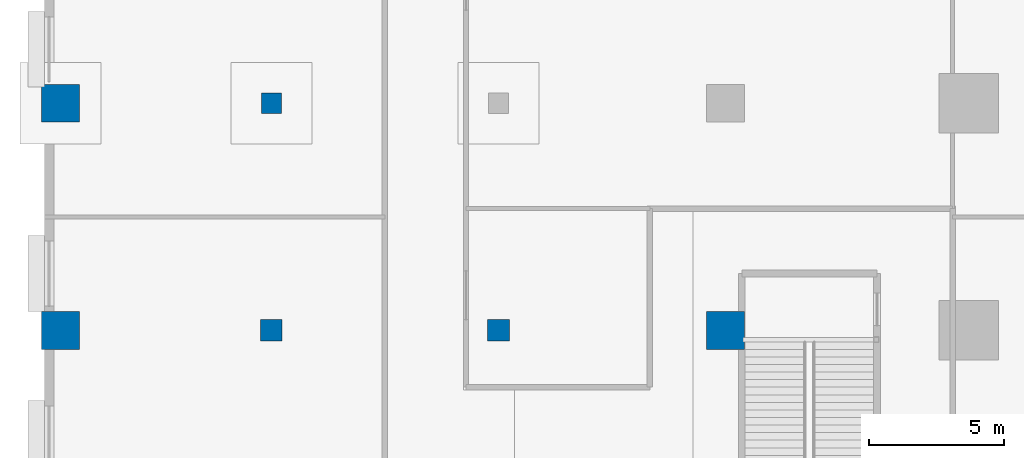
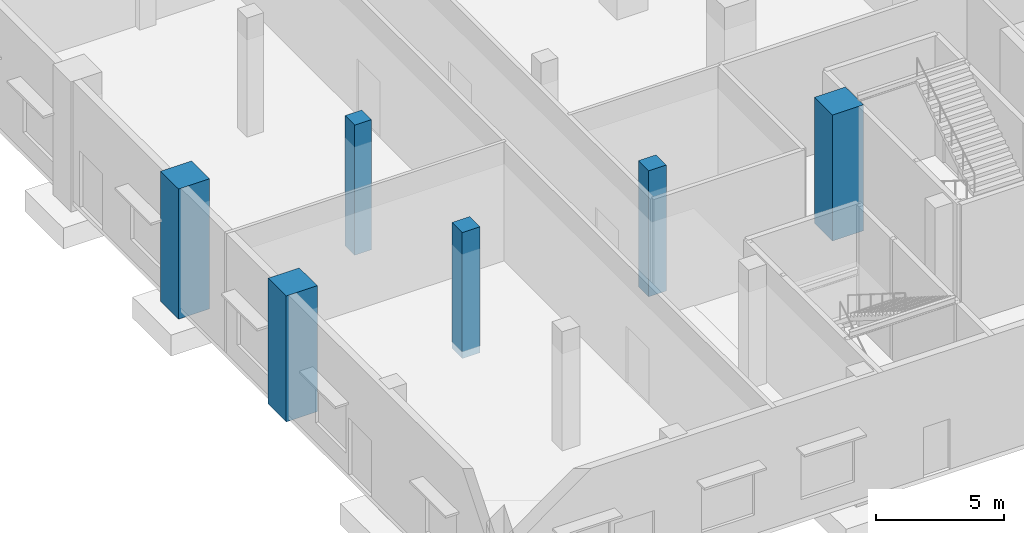
# One storey, part 3 of 26: 6 columns.
"""IFC4 building model written with IfcOpenShell, lengths in metres."""

from ifc_helpers import new_model, si_unit, direction, frame, origin, origin_2d, place, context, subcontext, project, spatial, rectangle, extrude, material, material_profile, profile_set, type_object, element, save


model = new_model("IFC4")

# Units and contexts
model_context = context("Model", 3, precision=1e-05, world=origin(), true_north=direction((0.0, 1.0)))
body_context = subcontext(model_context, "Body", "Model", "MODEL_VIEW")
ifc_project = project(units=[si_unit("LENGTHUNIT", "METRE"), si_unit("AREAUNIT", "SQUARE_METRE"), si_unit("VOLUMEUNIT", "CUBIC_METRE"), si_unit("PLANEANGLEUNIT", "RADIAN"), si_unit("MASSUNIT", "GRAM", prefix="KILO")], contexts=[model_context])

# Site, building, storey
site_placement = place(None, origin())
site = spatial("IfcSite", under=ifc_project, at=site_placement, CompositionType="ELEMENT")
building_placement = place(site_placement, origin())
building = spatial("IfcBuilding", under=site, at=building_placement, Name="Dunama Terrace Hotel", CompositionType="ELEMENT")
storey_placement = place(building_placement, origin())
storey = spatial("IfcBuildingStorey", under=building, at=storey_placement, Name="L00", CompositionType="ELEMENT", Elevation=0.0)

# Columns
ifc_material_1 = material(Name="Concrete C50/60", Category="concrete")
ifc_material_profile_1 = material_profile(ifc_material_1, rectangle(XDim=1.39990234375, YDim=1.39990234375, at=origin_2d()), Name="RC 1400x1400")
ifc_profile_set_1 = profile_set([ifc_material_profile_1], Name="Concrete C50/60")
column_type_1 = type_object("IfcColumnType", Name="Column RC 1400x1400", PredefinedType="COLUMN", material=ifc_profile_set_1)
column_1_placement = place(storey_placement, frame((-33.0, 8.39990234375, -0.300048828125), z_axis=(0.0, 0.0, 1.0), x_axis=(1.0, 0.0, 0.0)))
element("IfcColumn", 1, at=column_1_placement, inside=storey, type_object=column_type_1, Name="Column L00 -33.0/+8.4", PredefinedType="COLUMN", context=body_context, shape_type="SweptSolid", body=[
    extrude(rectangle(XDim=1.39990234375, YDim=1.39990234375, at=origin_2d()), origin(), (0.0, 0.0, 1.0), 6.0),
])
column_2_placement = place(storey_placement, frame((-33.0, 16.800048828125, -0.5), z_axis=(0.0, 0.0, 1.0), x_axis=(1.0, 0.0, 0.0)))
element("IfcColumn", 2, at=column_2_placement, inside=storey, type_object=column_type_1, Name="Column L00 -33.0/+16.8", PredefinedType="COLUMN", context=body_context, shape_type="SweptSolid", body=[
    extrude(rectangle(XDim=1.39990234375, YDim=1.39990234375, at=origin_2d()), origin(), (0.0, 0.0, 1.0), 6.199951171875),
])
column_3_placement = place(storey_placement, frame((-8.39990234375, 8.39990234375, -0.300048828125), z_axis=(0.0, 0.0, 1.0), x_axis=(1.0, 0.0, 0.0)))
element("IfcColumn", 3, at=column_3_placement, inside=storey, type_object=column_type_1, Name="Column L00 -8.4/+8.4", PredefinedType="COLUMN", context=body_context, shape_type="SweptSolid", body=[
    extrude(rectangle(XDim=1.39990234375, YDim=1.39990234375, at=origin_2d()), origin(), (0.0, 0.0, 1.0), 6.0),
])
ifc_material_2 = material(Name="Concrete C40/50", Category="concrete")
ifc_material_profile_2 = material_profile(ifc_material_2, rectangle(XDim=0.75, YDim=0.75, at=origin_2d()), Name="RC 750x750")
ifc_profile_set_2 = profile_set([ifc_material_profile_2], Name="Concrete C40/50")
column_type_2 = type_object("IfcColumnType", Name="Column RC 750x750", PredefinedType="COLUMN", material=ifc_profile_set_2)
column_4_placement = place(storey_placement, frame((-25.199951171875, 16.800048828125, -0.5), z_axis=(0.0, 0.0, 1.0), x_axis=(1.0, 0.0, 0.0)))
element("IfcColumn", 4, at=column_4_placement, inside=storey, type_object=column_type_2, Name="Column L00 -25.2/+16.8", PredefinedType="COLUMN", context=body_context, shape_type="SweptSolid", body=[
    extrude(rectangle(XDim=0.75, YDim=0.75, at=origin_2d()), origin(), (0.0, 0.0, 1.0), 6.199951171875),
])
ifc_material_3 = material(Name="Concrete C40/50", Category="concrete")
ifc_material_profile_3 = material_profile(ifc_material_3, rectangle(XDim=0.800048828125, YDim=0.800048828125, at=origin_2d()), Name="RC 800x800")
ifc_profile_set_3 = profile_set([ifc_material_profile_3], Name="Concrete C40/50")
column_type_3 = type_object("IfcColumnType", Name="Column RC 800x800", PredefinedType="COLUMN", material=ifc_profile_set_3)
for number, where, z_axis, x_axis, name in (
    (5, (-25.199951171875, 8.39990234375, -0.300048828125), (0.0, 0.0, 1.0), (1.0, 0.0, 0.0), "Column L00 -25.2/+8.4"),
    (6, (-16.800048828125, 8.39990234375, -0.300048828125), (0.0, 0.0, 1.0), (1.0, 0.0, 0.0), "Column L00 -16.8/+8.4"),
):
    element("IfcColumn", number, at=place(storey_placement, frame(where, z_axis=z_axis, x_axis=x_axis)), inside=storey, type_object=column_type_3, Name=name, PredefinedType="COLUMN", context=body_context, shape_type="SweptSolid", body=[
        extrude(rectangle(XDim=0.800048828125, YDim=0.800048828125, at=origin_2d()), origin(), (0.0, 0.0, 1.0), 6.0),
    ])

save(model, "model.ifc")
